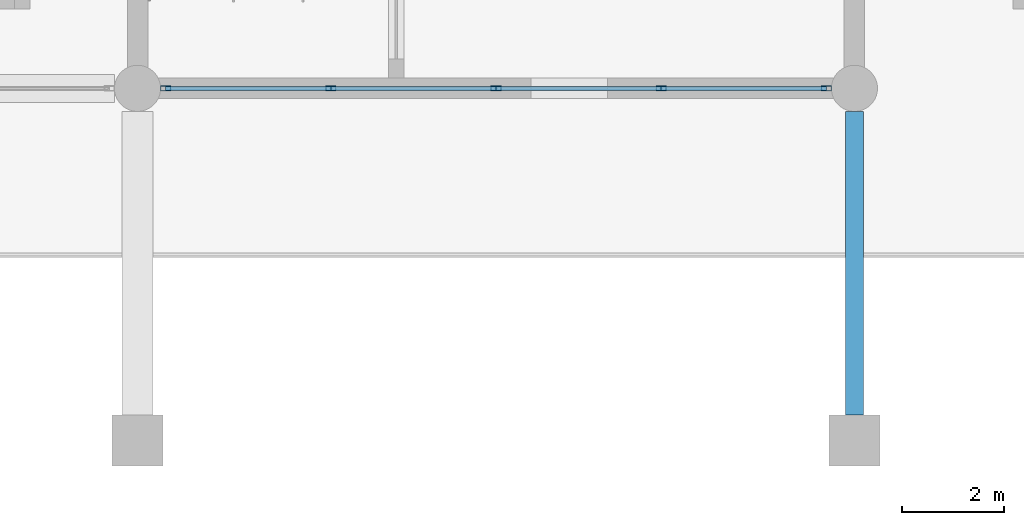
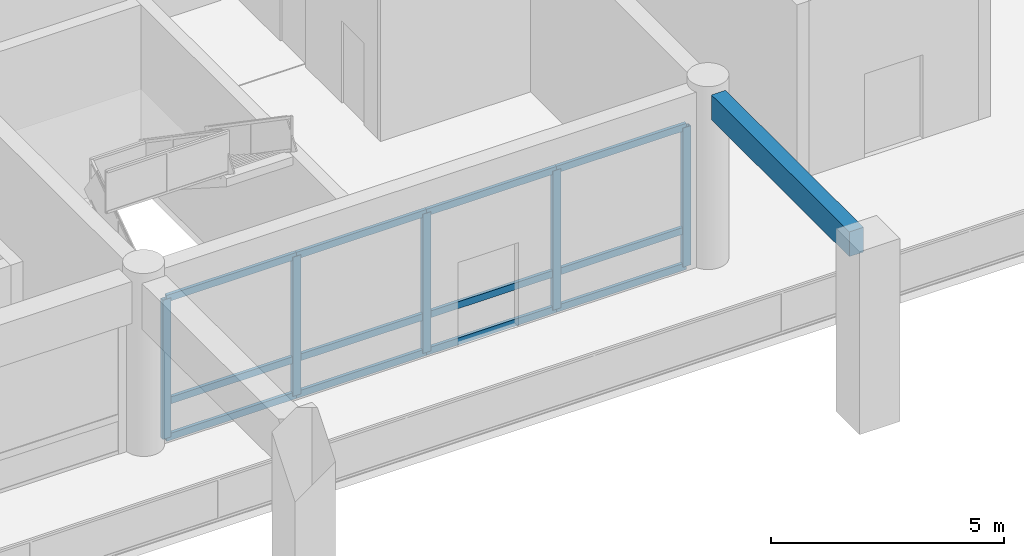
# One storey, part 46 of 91: 17 members, 1 beam, 1 element without a shape of its own.
"""IFC4 building model written with IfcOpenShell, lengths in metres."""

from ifc_helpers import new_model, si_unit, direction, frame, origin, origin_2d, place, context, subcontext, project, spatial, rectangle, hollow_rectangle, extrude, material, material_profile, profile_set, type_object, element, aggregate, save


model = new_model("IFC4")

# Units and contexts
model_context = context("Model", 3, precision=1e-05, world=origin(), true_north=direction((0.0, 1.0)))
body_context = subcontext(model_context, "Body", "Model", "MODEL_VIEW")
ifc_project = project(units=[si_unit("LENGTHUNIT", "METRE"), si_unit("AREAUNIT", "SQUARE_METRE"), si_unit("VOLUMEUNIT", "CUBIC_METRE"), si_unit("PLANEANGLEUNIT", "RADIAN"), si_unit("MASSUNIT", "GRAM", prefix="KILO")], contexts=[model_context])

# Site, building, storey
site_placement = place(None, origin())
site = spatial("IfcSite", under=ifc_project, at=site_placement, CompositionType="ELEMENT")
building_placement = place(site_placement, origin())
building = spatial("IfcBuilding", under=site, at=building_placement, Name="Linyun Crest Stadium", CompositionType="ELEMENT")
storey_placement = place(building_placement, frame((0.0, 0.0, 11.39990234375)))
storey = spatial("IfcBuildingStorey", under=building, at=storey_placement, Name="L03", CompositionType="ELEMENT", Elevation=11.39990234375)

# Beam
ifc_material_1 = material(Name="Concrete C40", Category="concrete")
ifc_material_profile_1 = material_profile(ifc_material_1, rectangle(XDim=0.35009765625, YDim=0.64990234375, at=origin_2d()), Name="RCB 650x350")
ifc_profile_set_1 = profile_set([ifc_material_profile_1], Name="Concrete C40")
beam_type = type_object("IfcBeamType", Name="B02", PredefinedType="BEAM", material=ifc_profile_set_1)
beam_placement = place(storey_placement, frame((28.0, 85.125, 4.275146484375), z_axis=(0.0, 1.0, 0.0), x_axis=(-1.0, 0.0, 0.0)))
element("IfcBeam", 1, at=beam_placement, inside=storey, type_object=beam_type, Name="Frame beam B02 L03 809", PredefinedType="BEAM", context=body_context, shape_type="SweptSolid", body=[
    extrude(rectangle(XDim=0.35009765625, YDim=0.64990234375, at=origin_2d()), origin(), (0.0, 0.0, 1.0), 5.925048828125),
])

# Curtain wall, members
ifc_material_2 = material(Name="Verdigris steel and low-E curtain wall assembly", Category="steel")
curtain_wall_type = type_object("IfcCurtainWallType", Name="MCW02", PredefinedType="NOTDEFINED", material=ifc_material_2)
curtain_wall_placement = place(storey_placement, origin())
curtain_wall = element("IfcCurtainWall", 2, at=curtain_wall_placement, inside=storey, type_object=curtain_wall_type, Name="CWR-149", PredefinedType="NOTDEFINED")
ifc_material_3 = material(Name="Verdigris painted steel Q355C mullion", Category="steel")
ifc_material_profile_2 = material_profile(ifc_material_3, hollow_rectangle(XDim=0.10009765625, YDim=0.199951171875, WallThickness=0.008056640625, at=origin_2d()), Name="RHS 200x100x8")
ifc_profile_set_2 = profile_set([ifc_material_profile_2], Name="Verdigris painted steel Q355C mullion")
member_type_1 = type_object("IfcMemberType", Name="ML03", PredefinedType="MULLION", material=ifc_profile_set_2)
member_1_placement = place(storey_placement, frame((14.550048828125, 91.5, 0.0), z_axis=(0.0, 0.0, 1.0), x_axis=(0.0, 1.0, 0.0)))
member_1 = element("IfcMember", 3, at=member_1_placement, type_object=member_type_1, Name="CWR-149 mullion 1", PredefinedType="MULLION", context=body_context, shape_type="SweptSolid", body=[
    extrude(hollow_rectangle(XDim=0.10009765625, YDim=0.199951171875, WallThickness=0.008056640625, at=origin_2d()), origin(), (0.0, 0.0, 1.0), 3.650146484375),
])
member_2_placement = place(storey_placement, frame((17.77490234375, 91.5, 0.0), z_axis=(0.0, 0.0, 1.0), x_axis=(0.0, 1.0, 0.0)))
member_2 = element("IfcMember", 4, at=member_2_placement, type_object=member_type_1, Name="CWR-149 mullion 2", PredefinedType="MULLION", context=body_context, shape_type="SweptSolid", body=[
    extrude(hollow_rectangle(XDim=0.10009765625, YDim=0.199951171875, WallThickness=0.008056640625, at=origin_2d()), origin(), (0.0, 0.0, 1.0), 3.650146484375),
])
member_3_placement = place(storey_placement, frame((21.0, 91.5, 0.0), z_axis=(0.0, 0.0, 1.0), x_axis=(0.0, 1.0, 0.0)))
member_3 = element("IfcMember", 5, at=member_3_placement, type_object=member_type_1, Name="CWR-149 mullion 3", PredefinedType="MULLION", context=body_context, shape_type="SweptSolid", body=[
    extrude(hollow_rectangle(XDim=0.10009765625, YDim=0.199951171875, WallThickness=0.008056640625, at=origin_2d()), origin(), (0.0, 0.0, 1.0), 3.650146484375),
])
member_4_placement = place(storey_placement, frame((24.22509765625, 91.5, 0.0), z_axis=(0.0, 0.0, 1.0), x_axis=(0.0, 1.0, 0.0)))
member_4 = element("IfcMember", 6, at=member_4_placement, type_object=member_type_1, Name="CWR-149 mullion 4", PredefinedType="MULLION", context=body_context, shape_type="SweptSolid", body=[
    extrude(hollow_rectangle(XDim=0.10009765625, YDim=0.199951171875, WallThickness=0.008056640625, at=origin_2d()), origin(), (0.0, 0.0, 1.0), 3.650146484375),
])
member_5_placement = place(storey_placement, frame((27.449951171875, 91.5, 0.0), z_axis=(0.0, 0.0, 1.0), x_axis=(0.0, 1.0, 0.0)))
member_5 = element("IfcMember", 7, at=member_5_placement, type_object=member_type_1, Name="CWR-149 mullion 5", PredefinedType="MULLION", context=body_context, shape_type="SweptSolid", body=[
    extrude(hollow_rectangle(XDim=0.10009765625, YDim=0.199951171875, WallThickness=0.008056640625, at=origin_2d()), origin(), (0.0, 0.0, 1.0), 3.650146484375),
])
ifc_material_4 = material(Name="Verdigris painted steel Q355B transom", Category="steel")
ifc_material_profile_3 = material_profile(ifc_material_4, hollow_rectangle(XDim=0.080078125, YDim=0.179931640625, WallThickness=0.006103515625, at=origin_2d()), Name="RHS 180x80x6")
ifc_profile_set_3 = profile_set([ifc_material_profile_3], Name="Verdigris painted steel Q355B transom")
member_type_2 = type_object("IfcMemberType", Name="TR02", PredefinedType="USERDEFINED", material=ifc_profile_set_3)
member_6_placement = place(storey_placement, frame((14.550048828125, 91.5, 0.0), z_axis=(1.0, 0.0, 0.0), x_axis=(0.0, 1.0, 0.0)))
member_6 = element("IfcMember", 8, at=member_6_placement, type_object=member_type_2, Name="CWR-149 transom 1.1", ObjectType="TRANSOM", PredefinedType="USERDEFINED", context=body_context, shape_type="SweptSolid", body=[
    extrude(hollow_rectangle(XDim=0.080078125, YDim=0.179931640625, WallThickness=0.006103515625, at=origin_2d()), origin(), (0.0, 0.0, 1.0), 3.224853515625),
])
member_7_placement = place(storey_placement, frame((14.550048828125, 91.5, 0.9501953125), z_axis=(1.0, 0.0, 0.0), x_axis=(0.0, 1.0, 0.0)))
member_7 = element("IfcMember", 9, at=member_7_placement, type_object=member_type_2, Name="CWR-149 transom 1.2", ObjectType="TRANSOM", PredefinedType="USERDEFINED", context=body_context, shape_type="SweptSolid", body=[
    extrude(hollow_rectangle(XDim=0.080078125, YDim=0.179931640625, WallThickness=0.006103515625, at=origin_2d()), origin(), (0.0, 0.0, 1.0), 3.224853515625),
])
member_8_placement = place(storey_placement, frame((14.550048828125, 91.5, 3.650146484375), z_axis=(1.0, 0.0, 0.0), x_axis=(0.0, 1.0, 0.0)))
member_8 = element("IfcMember", 10, at=member_8_placement, type_object=member_type_2, Name="CWR-149 transom 1.3", ObjectType="TRANSOM", PredefinedType="USERDEFINED", context=body_context, shape_type="SweptSolid", body=[
    extrude(hollow_rectangle(XDim=0.080078125, YDim=0.179931640625, WallThickness=0.006103515625, at=origin_2d()), origin(), (0.0, 0.0, 1.0), 3.224853515625),
])
member_9_placement = place(storey_placement, frame((17.77490234375, 91.5, 0.0), z_axis=(1.0, 0.0, 0.0), x_axis=(0.0, 1.0, 0.0)))
member_9 = element("IfcMember", 11, at=member_9_placement, type_object=member_type_2, Name="CWR-149 transom 2.1", ObjectType="TRANSOM", PredefinedType="USERDEFINED", context=body_context, shape_type="SweptSolid", body=[
    extrude(hollow_rectangle(XDim=0.080078125, YDim=0.179931640625, WallThickness=0.006103515625, at=origin_2d()), origin(), (0.0, 0.0, 1.0), 3.22509765625),
])
member_10_placement = place(storey_placement, frame((17.77490234375, 91.5, 0.9501953125), z_axis=(1.0, 0.0, 0.0), x_axis=(0.0, 1.0, 0.0)))
member_10 = element("IfcMember", 12, at=member_10_placement, type_object=member_type_2, Name="CWR-149 transom 2.2", ObjectType="TRANSOM", PredefinedType="USERDEFINED", context=body_context, shape_type="SweptSolid", body=[
    extrude(hollow_rectangle(XDim=0.080078125, YDim=0.179931640625, WallThickness=0.006103515625, at=origin_2d()), origin(), (0.0, 0.0, 1.0), 3.22509765625),
])
member_11_placement = place(storey_placement, frame((17.77490234375, 91.5, 3.650146484375), z_axis=(1.0, 0.0, 0.0), x_axis=(0.0, 1.0, 0.0)))
member_11 = element("IfcMember", 13, at=member_11_placement, type_object=member_type_2, Name="CWR-149 transom 2.3", ObjectType="TRANSOM", PredefinedType="USERDEFINED", context=body_context, shape_type="SweptSolid", body=[
    extrude(hollow_rectangle(XDim=0.080078125, YDim=0.179931640625, WallThickness=0.006103515625, at=origin_2d()), origin(), (0.0, 0.0, 1.0), 3.22509765625),
])
member_12_placement = place(storey_placement, frame((21.0, 91.5, 0.0), z_axis=(1.0, 0.0, 0.0), x_axis=(0.0, 1.0, 0.0)))
member_12 = element("IfcMember", 14, at=member_12_placement, type_object=member_type_2, Name="CWR-149 transom 3.1", ObjectType="TRANSOM", PredefinedType="USERDEFINED", context=body_context, shape_type="SweptSolid", body=[
    extrude(hollow_rectangle(XDim=0.080078125, YDim=0.179931640625, WallThickness=0.006103515625, at=origin_2d()), origin(), (0.0, 0.0, 1.0), 3.22509765625),
])
member_13_placement = place(storey_placement, frame((21.0, 91.5, 0.9501953125), z_axis=(1.0, 0.0, 0.0), x_axis=(0.0, 1.0, 0.0)))
member_13 = element("IfcMember", 15, at=member_13_placement, type_object=member_type_2, Name="CWR-149 transom 3.2", ObjectType="TRANSOM", PredefinedType="USERDEFINED", context=body_context, shape_type="SweptSolid", body=[
    extrude(hollow_rectangle(XDim=0.080078125, YDim=0.179931640625, WallThickness=0.006103515625, at=origin_2d()), origin(), (0.0, 0.0, 1.0), 3.22509765625),
])
member_14_placement = place(storey_placement, frame((21.0, 91.5, 3.650146484375), z_axis=(1.0, 0.0, 0.0), x_axis=(0.0, 1.0, 0.0)))
member_14 = element("IfcMember", 16, at=member_14_placement, type_object=member_type_2, Name="CWR-149 transom 3.3", ObjectType="TRANSOM", PredefinedType="USERDEFINED", context=body_context, shape_type="SweptSolid", body=[
    extrude(hollow_rectangle(XDim=0.080078125, YDim=0.179931640625, WallThickness=0.006103515625, at=origin_2d()), origin(), (0.0, 0.0, 1.0), 3.22509765625),
])
member_15_placement = place(storey_placement, frame((24.22509765625, 91.5, 0.0), z_axis=(1.0, 0.0, 0.0), x_axis=(0.0, 1.0, 0.0)))
member_15 = element("IfcMember", 17, at=member_15_placement, type_object=member_type_2, Name="CWR-149 transom 4.1", ObjectType="TRANSOM", PredefinedType="USERDEFINED", context=body_context, shape_type="SweptSolid", body=[
    extrude(hollow_rectangle(XDim=0.080078125, YDim=0.179931640625, WallThickness=0.006103515625, at=origin_2d()), origin(), (0.0, 0.0, 1.0), 3.224853515625),
])
member_16_placement = place(storey_placement, frame((24.22509765625, 91.5, 0.9501953125), z_axis=(1.0, 0.0, 0.0), x_axis=(0.0, 1.0, 0.0)))
member_16 = element("IfcMember", 18, at=member_16_placement, type_object=member_type_2, Name="CWR-149 transom 4.2", ObjectType="TRANSOM", PredefinedType="USERDEFINED", context=body_context, shape_type="SweptSolid", body=[
    extrude(hollow_rectangle(XDim=0.080078125, YDim=0.179931640625, WallThickness=0.006103515625, at=origin_2d()), origin(), (0.0, 0.0, 1.0), 3.224853515625),
])
member_17_placement = place(storey_placement, frame((24.22509765625, 91.5, 3.650146484375), z_axis=(1.0, 0.0, 0.0), x_axis=(0.0, 1.0, 0.0)))
member_17 = element("IfcMember", 19, at=member_17_placement, type_object=member_type_2, Name="CWR-149 transom 4.3", ObjectType="TRANSOM", PredefinedType="USERDEFINED", context=body_context, shape_type="SweptSolid", body=[
    extrude(hollow_rectangle(XDim=0.080078125, YDim=0.179931640625, WallThickness=0.006103515625, at=origin_2d()), origin(), (0.0, 0.0, 1.0), 3.224853515625),
])
aggregate(curtain_wall, [member_1, member_2, member_3, member_4, member_5, member_6, member_7, member_8, member_9, member_10, member_11, member_12, member_13, member_14, member_15, member_16, member_17])

save(model, "model.ifc")
